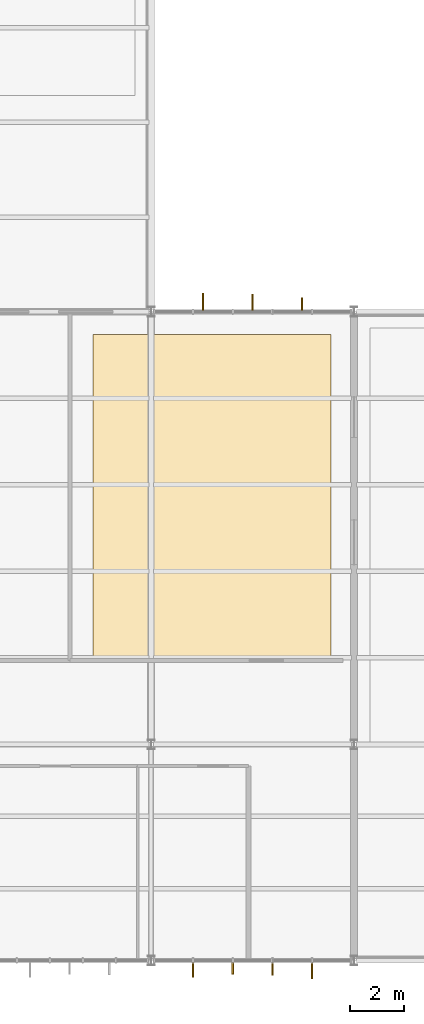
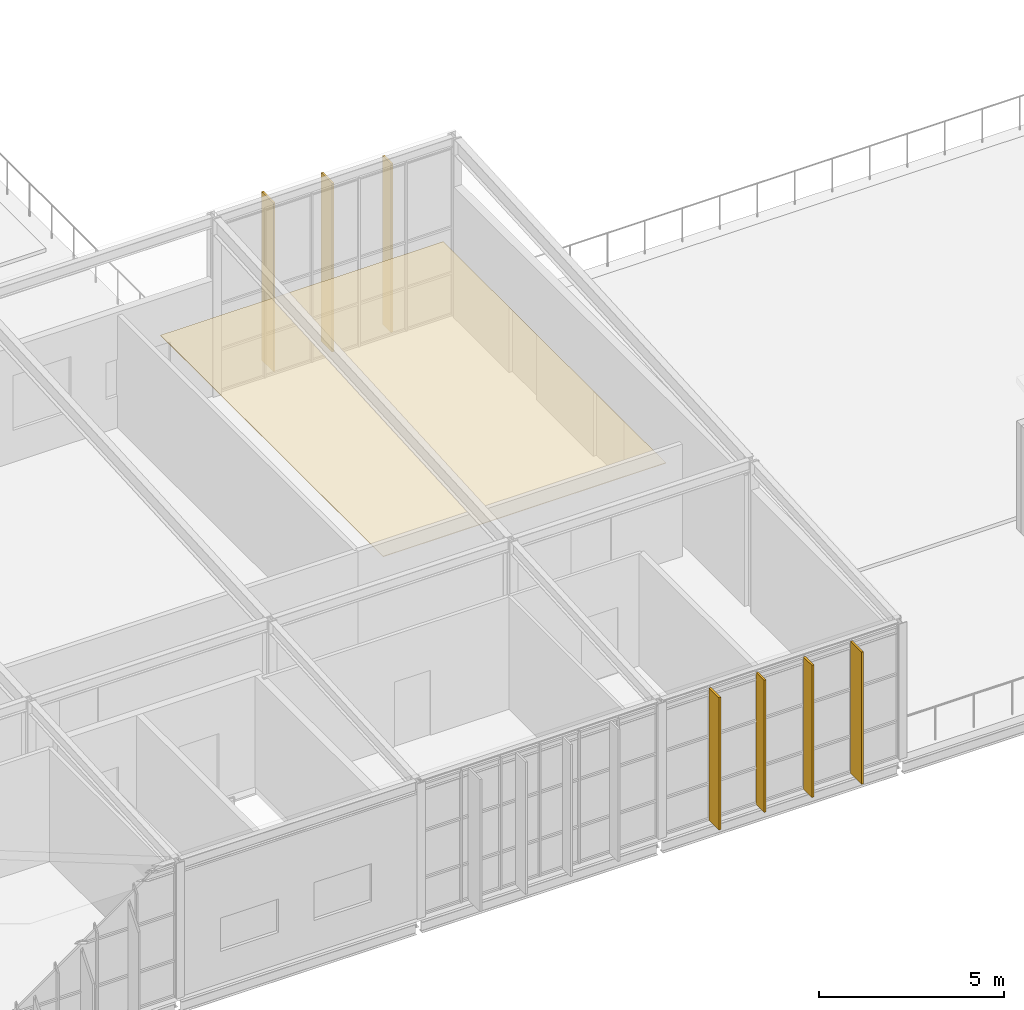
# One storey, part 101 of 104: 8 coverings.
"""IFC4 building model written with IfcOpenShell, lengths in metres."""

from ifc_helpers import new_model, si_unit, direction, frame, origin, origin_2d, place, context, subcontext, project, spatial, polyline, rectangle, outline, extrude, material, layer, layer_set, type_object, element, save


model = new_model("IFC4")

# Units and contexts
model_context = context("Model", 3, precision=1e-05, world=origin(), true_north=direction((0.0, 1.0)))
body_context = subcontext(model_context, "Body", "Model", "MODEL_VIEW")
ifc_project = project(units=[si_unit("LENGTHUNIT", "METRE"), si_unit("AREAUNIT", "SQUARE_METRE"), si_unit("VOLUMEUNIT", "CUBIC_METRE"), si_unit("PLANEANGLEUNIT", "RADIAN"), si_unit("MASSUNIT", "GRAM", prefix="KILO")], contexts=[model_context])

# Site, building, storey
site_placement = place(None, origin())
site = spatial("IfcSite", under=ifc_project, at=site_placement, CompositionType="ELEMENT")
building_placement = place(site_placement, origin())
building = spatial("IfcBuilding", under=site, at=building_placement, Name="Solvenia Promenade Tram Depot", CompositionType="ELEMENT")
storey_placement = place(building_placement, frame((0.0, 0.0, 9.0)))
storey = spatial("IfcBuildingStorey", under=building, at=storey_placement, Name="L02", CompositionType="ELEMENT", Elevation=9.0)

# Coverings
ifc_material_1 = material(Name="Mineral-fibre acoustic ceiling tile", Category="other")
ifc_layer_1 = layer(ifc_material_1, 0.02001953125, Name="Mineral-fibre acoustic ceiling tile", Category="other")
ifc_layer_set_1 = layer_set([ifc_layer_1], Name="Mineral-fibre acoustic ceiling tile")
covering_type_1 = type_object("IfcCoveringType", Name="Ceiling-Acoustic-20", PredefinedType="CEILING", material=ifc_layer_set_1)
covering_1_placement = place(storey_placement, frame((0.0, 0.0, 3.14990234375)))
element("IfcCovering", 1, at=covering_1_placement, inside=storey, type_object=covering_type_1, Name="Training Classroom Beta Acoustic Ceiling", PredefinedType="CEILING", context=body_context, shape_type="SweptSolid", body=[
    extrude(outline(polyline([(42.85009765625, 11.139892578125), (51.64990234375, 11.139892578125), (51.64990234375, 23.14990234375), (42.85009765625, 23.14990234375), (42.85009765625, 11.139892578125)])), origin(), (0.0, 0.0, 1.0), 0.02001953125),
])
ifc_material_2 = material(Name="Anodized aluminium AW-6063 T6", Category="aluminium")
ifc_layer_2 = layer(ifc_material_2, 0.06005859375, Name="Anodized aluminium AW-6063 T6", Category="aluminium")
ifc_layer_set_2 = layer_set([ifc_layer_2], Name="Anodized aluminium AW-6063 T6")
covering_type_2 = type_object("IfcCoveringType", Name="Fin-Param-560", PredefinedType="CLADDING", material=ifc_layer_set_2)
covering_2_placement = place(storey_placement, frame((46.548095703125, -0.342529296875, 0.0), z_axis=(0.0, 0.0, 1.0), x_axis=(1.0, 0.0, 0.0)))
element("IfcCovering", 2, at=covering_2_placement, inside=storey, type_object=covering_type_2, Name="Parametric Vertical Brise-Soleil Fin 391", PredefinedType="CLADDING", context=body_context, shape_type="SweptSolid", body=[
    extrude(rectangle(XDim=0.06005859375, YDim=0.534912109375, at=origin_2d()), origin(), (0.0, 0.0, 1.0), 4.35009765625),
])
covering_3_placement = place(storey_placement, frame((48.01611328125, -0.28857421875, 0.0), z_axis=(0.0, 0.0, 1.0), x_axis=(1.0, 0.0, 0.0)))
element("IfcCovering", 3, at=covering_3_placement, inside=storey, type_object=covering_type_2, Name="Parametric Vertical Brise-Soleil Fin 392", PredefinedType="CLADDING", context=body_context, shape_type="SweptSolid", body=[
    extrude(rectangle(XDim=0.06005859375, YDim=0.427001953125, at=origin_2d()), origin(), (0.0, 0.0, 1.0), 4.35009765625),
])
covering_4_placement = place(storey_placement, frame((49.48388671875, -0.306396484375, 0.0), z_axis=(0.0, 0.0, 1.0), x_axis=(1.0, 0.0, 0.0)))
element("IfcCovering", 4, at=covering_4_placement, inside=storey, type_object=covering_type_2, Name="Parametric Vertical Brise-Soleil Fin 393", PredefinedType="CLADDING", context=body_context, shape_type="SweptSolid", body=[
    extrude(rectangle(XDim=0.06005859375, YDim=0.462890625, at=origin_2d()), origin(), (0.0, 0.0, 1.0), 4.35009765625),
])
covering_5_placement = place(storey_placement, frame((50.951904296875, -0.37158203125, 0.0), z_axis=(0.0, 0.0, 1.0), x_axis=(1.0, 0.0, 0.0)))
element("IfcCovering", 5, at=covering_5_placement, inside=storey, type_object=covering_type_2, Name="Parametric Vertical Brise-Soleil Fin 394", PredefinedType="CLADDING", context=body_context, shape_type="SweptSolid", body=[
    extrude(rectangle(XDim=0.06005859375, YDim=0.593017578125, at=origin_2d()), origin(), (0.0, 0.0, 1.0), 4.35009765625),
])
covering_6_placement = place(storey_placement, frame((46.9150390625, 24.3759765625, 0.0), z_axis=(0.0, 0.0, 1.0), x_axis=(1.0, 0.0, 0.0)))
element("IfcCovering", 6, at=covering_6_placement, inside=storey, type_object=covering_type_2, Name="Parametric Vertical Brise-Soleil Fin 401", PredefinedType="CLADDING", context=body_context, shape_type="SweptSolid", body=[
    extrude(rectangle(XDim=0.06005859375, YDim=0.632080078125, at=origin_2d()), origin(), (0.0, 0.0, 1.0), 5.550048828125),
])
covering_7_placement = place(storey_placement, frame((48.75, 24.3564453125, 0.0), z_axis=(0.0, 0.0, 1.0), x_axis=(1.0, 0.0, 0.0)))
element("IfcCovering", 7, at=covering_7_placement, inside=storey, type_object=covering_type_2, Name="Parametric Vertical Brise-Soleil Fin 402", PredefinedType="CLADDING", context=body_context, shape_type="SweptSolid", body=[
    extrude(rectangle(XDim=0.06005859375, YDim=0.593017578125, at=origin_2d()), origin(), (0.0, 0.0, 1.0), 5.550048828125),
])
covering_8_placement = place(storey_placement, frame((50.5849609375, 24.2890625, 0.0), z_axis=(0.0, 0.0, 1.0), x_axis=(1.0, 0.0, 0.0)))
element("IfcCovering", 8, at=covering_8_placement, inside=storey, type_object=covering_type_2, Name="Parametric Vertical Brise-Soleil Fin 403", PredefinedType="CLADDING", context=body_context, shape_type="SweptSolid", body=[
    extrude(rectangle(XDim=0.06005859375, YDim=0.4580078125, at=origin_2d()), origin(), (0.0, 0.0, 1.0), 5.550048828125),
])

save(model, "model.ifc")
